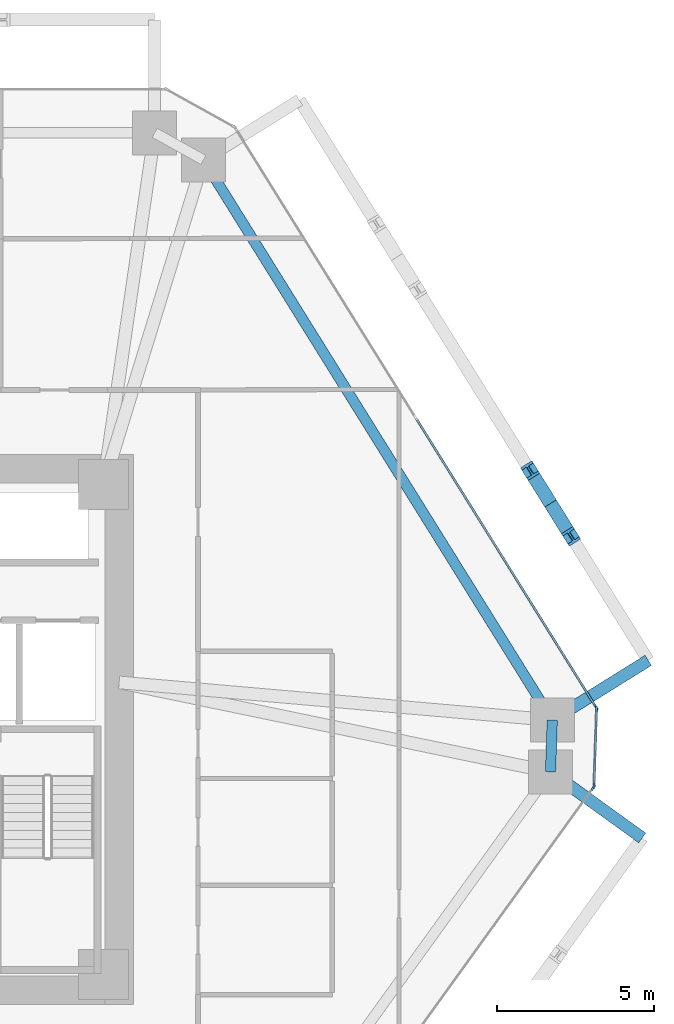
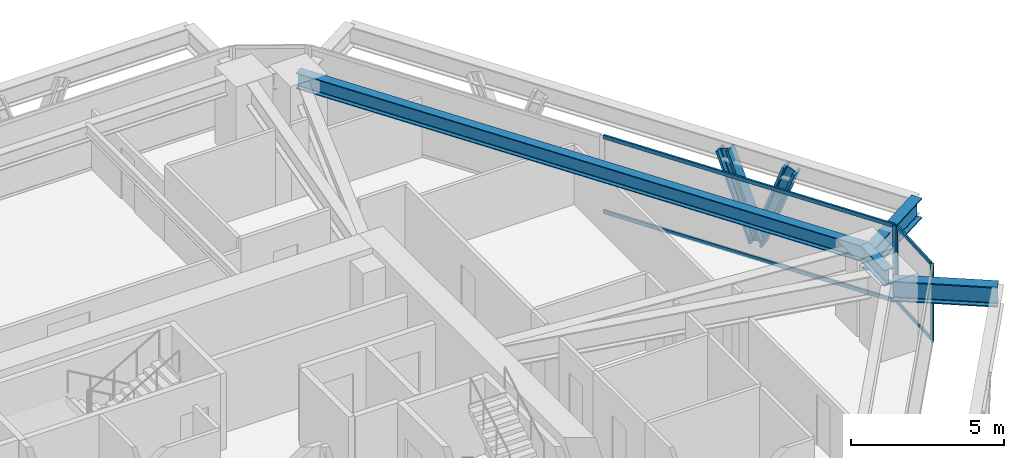
# One storey, part 6 of 15: 10 members, 4 beams, 3 elements without a shape of their own.
"""IFC4 building model written with IfcOpenShell, lengths in metres."""

from ifc_helpers import new_model, si_unit, direction, frame, origin, origin_2d, place, context, subcontext, project, spatial, rectangle, i_section, extrude, source, transform, mapped, material, layer, layer_set, material_profile, profile_set, type_object, type_shapes, element, aggregate, save


model = new_model("IFC4")

# Units and contexts
model_context = context("Model", 3, precision=1e-05, world=origin(), true_north=direction((0.0, 1.0)))
body_context = subcontext(model_context, "Body", "Model", "MODEL_VIEW")
ifc_project = project(units=[si_unit("LENGTHUNIT", "METRE"), si_unit("AREAUNIT", "SQUARE_METRE"), si_unit("VOLUMEUNIT", "CUBIC_METRE"), si_unit("PLANEANGLEUNIT", "RADIAN"), si_unit("MASSUNIT", "GRAM", prefix="KILO")], contexts=[model_context])

# Site, building, storey
site_placement = place(None, origin())
site = spatial("IfcSite", under=ifc_project, at=site_placement, CompositionType="ELEMENT")
building_placement = place(site_placement, origin())
building = spatial("IfcBuilding", under=site, at=building_placement, Name="Durnholm Broadcast Tower", CompositionType="ELEMENT")
storey_placement = place(building_placement, frame((0.0, 0.0, 62.10009765625)))
storey = spatial("IfcBuildingStorey", under=building, at=storey_placement, Name="L15", CompositionType="ELEMENT", Elevation=62.10009765625)

# Beams
ifc_material_1 = material(Name="Steel ASTM A992 Grade 50", Category="steel")
ifc_material_profile_1 = material_profile(ifc_material_1, i_section(OverallWidth=0.3291015625, OverallDepth=0.635009765625, WebThickness=0.017822265625, FlangeThickness=0.031005859375, FilletRadius=0.02783203125, at=origin_2d()), Name="W24X162")
ifc_profile_set_1 = profile_set([ifc_material_profile_1], Name="Steel ASTM A992 Grade 50")
beam_type_1 = type_object("IfcBeamType", Name="STL-SP-W24X162", PredefinedType="SPANDREL", material=ifc_profile_set_1)
shared_shape_1 = source(origin(), body_context, "Body", "SweptSolid", [
    extrude(i_section(OverallWidth=0.3291015625, OverallDepth=0.635009765625, WebThickness=0.017822265625, FlangeThickness=0.031005859375, FilletRadius=0.02783203125, at=origin_2d()), origin(), (0.0, 0.0, 1.0), 21.014404296875),
])
beam_1_placement = place(storey_placement, frame((12.982666015625, 18.138427734375, 2.727294921875), z_axis=(0.528595731543, -0.848873696491, 0.0), x_axis=(0.848873696491, 0.528595731543, 0.0)))
element("IfcBeam", 1, at=beam_1_placement, inside=storey, type_object=beam_type_1, Name="L15 perimeter spandrel girder 07", PredefinedType="SPANDREL", context=body_context, shape_type="MappedRepresentation", body=[
    mapped(shared_shape_1, transform((0.0, 0.0, 0.0), x_axis=(1.0, 0.0, 0.0), y_axis=(0.0, 1.0, 0.0), z_axis=(0.0, 0.0, 1.0), scale=1.0)),
])
shared_shape_2 = source(origin(), body_context, "Body", "SweptSolid", [
    extrude(i_section(OverallWidth=0.3291015625, OverallDepth=0.635009765625, WebThickness=0.017822265625, FlangeThickness=0.031005859375, FilletRadius=0.02783203125, at=origin_2d()), origin(), (0.0, 0.0, 1.0), 1.648193359375),
])
type_shapes(beam_type_1, [shared_shape_1, shared_shape_2])
beam_2_placement = place(storey_placement, frame((24.0908203125, 0.2998046875, 2.727294921875), z_axis=(-0.033921477804, -0.999424501072, 0.0), x_axis=(0.999424501072, -0.033921477804, 0.0)))
element("IfcBeam", 2, at=beam_2_placement, inside=storey, type_object=beam_type_1, Name="L15 perimeter spandrel girder 08", PredefinedType="SPANDREL", context=body_context, shape_type="MappedRepresentation", body=[
    mapped(shared_shape_2, transform((0.0, 0.0, 0.0), x_axis=(1.0, 0.0, 0.0), y_axis=(0.0, 1.0, 0.0), z_axis=(0.0, 0.0, 1.0), scale=1.0)),
])
ifc_material_profile_2 = material_profile(ifc_material_1, i_section(OverallWidth=0.385009765625, OverallDepth=0.802978515625, WebThickness=0.023681640625, FlangeThickness=0.0419921875, FilletRadius=0.032958984375, at=origin_2d()), Name="W30X261")
ifc_profile_set_2 = profile_set([ifc_material_profile_2], Name="Steel ASTM A992 Grade 50")
beam_type_2 = type_object("IfcBeamType", Name="BM-EXO-TIE", PredefinedType="USERDEFINED", material=ifc_profile_set_2)
shared_shape_3 = source(origin(), body_context, "Body", "SweptSolid", [
    extrude(i_section(OverallWidth=0.385009765625, OverallDepth=0.802978515625, WebThickness=0.023681640625, FlangeThickness=0.0419921875, FilletRadius=0.032958984375, at=origin_2d()), origin(), (0.0, 0.0, 1.0), 3.4560546875),
])
beam_3_placement = place(storey_placement, frame((24.212890625, 0.375732421875, 2.30859375), z_axis=(0.848874183218, 0.528594949906, 0.0), x_axis=(-0.528594949906, 0.848874183218, 0.0)))
element("IfcBeam", 3, at=beam_3_placement, inside=storey, type_object=beam_type_2, Name="L15 exoskeleton stand-off tie bracket F3.1", ObjectType="GIRDER", PredefinedType="USERDEFINED", context=body_context, shape_type="MappedRepresentation", body=[
    mapped(shared_shape_3, transform((0.0, 0.0, 0.0), x_axis=(1.0, 0.0, 0.0), y_axis=(0.0, 1.0, 0.0), z_axis=(0.0, 0.0, 1.0), scale=1.0)),
])
shared_shape_4 = source(origin(), body_context, "Body", "SweptSolid", [
    extrude(i_section(OverallWidth=0.385009765625, OverallDepth=0.802978515625, WebThickness=0.023681640625, FlangeThickness=0.0419921875, FilletRadius=0.032958984375, at=origin_2d()), origin(), (0.0, 0.0, 1.0), 3.455810546875),
])
type_shapes(beam_type_2, [shared_shape_3, shared_shape_4])
beam_4_placement = place(storey_placement, frame((24.15185546875, -1.431396484375, 2.30859375), z_axis=(0.811133512552, -0.584861030344, 0.0), x_axis=(0.584861030344, 0.811133512552, 0.0)))
element("IfcBeam", 4, at=beam_4_placement, inside=storey, type_object=beam_type_2, Name="L15 exoskeleton stand-off tie bracket F2.2", ObjectType="GIRDER", PredefinedType="USERDEFINED", context=body_context, shape_type="MappedRepresentation", body=[
    mapped(shared_shape_4, transform((0.0, 0.0, 0.0), x_axis=(1.0, 0.0, 0.0), y_axis=(0.0, 1.0, 0.0), z_axis=(0.0, 0.0, 1.0), scale=1.0)),
])

# Members
ifc_material_2 = material(Name="Steel ASTM A913 Grade 65", Category="steel")
ifc_material_profile_3 = material_profile(ifc_material_2, i_section(OverallWidth=0.43212890625, OverallDepth=0.497802734375, WebThickness=0.0556640625, FlangeThickness=0.0888671875, FilletRadius=0.030517578125, at=origin_2d()), Name="W14X500")
ifc_profile_set_3 = profile_set([ifc_material_profile_3], Name="Steel ASTM A913 Grade 65")
member_type_1 = type_object("IfcMemberType", Name="STL-DG-W14X500", PredefinedType="BRACE", material=ifc_profile_set_3)
shared_shape_5 = source(origin(), body_context, "Body", "SweptSolid", [
    extrude(i_section(OverallWidth=0.43212890625, OverallDepth=0.497802734375, WebThickness=0.0556640625, FlangeThickness=0.0888671875, FilletRadius=0.030517578125, at=origin_2d()), origin(), (0.0, 0.0, 1.0), 3.523193359375),
])
type_shapes(member_type_1, [shared_shape_5])
for number, where, z_axis, x_axis, name in (
    (5, (24.036376953125, 7.197509765625, -0.991455078125), (0.185157304084, -0.297277258428, 0.936665897941), (0.848819847179, 0.528682198523, 0.0), "L15 stand-off diagrid brace F3.D1.1"),
    (6, (24.036376953125, 7.197509765625, -0.991455078125), (-0.185090383068, 0.297281072018, 0.936677913861), (-0.848908635391, -0.528539618911, 0.0), "L15 stand-off diagrid brace F3.D1.2"),
):
    element("IfcMember", number, at=place(storey_placement, frame(where, z_axis=z_axis, x_axis=x_axis)), inside=storey, type_object=member_type_1, Name=name, PredefinedType="BRACE", context=body_context, shape_type="MappedRepresentation", body=[
        mapped(shared_shape_5, transform((0.0, 0.0, 0.0), x_axis=(1.0, 0.0, 0.0), y_axis=(0.0, 1.0, 0.0), z_axis=(0.0, 0.0, 1.0), scale=1.0)),
    ])

# Curtain wall, members
ifc_material_3 = material(Name="Aluminium and Solar Control IGU", Category="aluminium")
ifc_layer_1 = layer(ifc_material_3, 0.1650390625)
ifc_layer_set_1 = layer_set([ifc_layer_1], Name="Aluminium and Solar Control IGU")
curtain_wall_type_1 = type_object("IfcCurtainWallType", Name="CW-SYS-5", PredefinedType="NOTDEFINED", material=ifc_layer_set_1)
curtain_wall_1_placement = place(storey_placement, origin())
curtain_wall_1 = element("IfcCurtainWall", 7, at=curtain_wall_1_placement, inside=storey, type_object=curtain_wall_type_1, Name="L15 curtain wall CW-CORNER CW-L15-CRN-07", PredefinedType="NOTDEFINED")
ifc_material_4 = material(Name="Aluminium 6063-T6", Category="aluminium")
ifc_material_profile_4 = material_profile(ifc_material_4, rectangle(XDim=0.06494140625, YDim=0.1298828125, at=origin_2d()), Name="CWT65X130")
ifc_profile_set_4 = profile_set([ifc_material_profile_4], Name="Aluminium 6063-T6")
member_type_2 = type_object("IfcMemberType", Name="CW-SYS-5-TRN", PredefinedType="USERDEFINED", material=ifc_profile_set_4)
shared_shape_6 = source(origin(), body_context, "Body", "SweptSolid", [
    extrude(rectangle(XDim=0.06494140625, YDim=0.1298828125, at=origin_2d()), origin(), (0.0, 0.0, 1.0), 2.3701171875),
])
type_shapes(member_type_2, [shared_shape_6])
member_1_placement = place(storey_placement, frame((25.502197265625, 0.613037109375, 0.032470703125), z_axis=(-0.033788158898, -0.999429017148, 0.0), x_axis=(0.999429017148, -0.033788158898, 0.0)))
member_1 = element("IfcMember", 8, at=member_1_placement, type_object=member_type_2, Name="CW-CORNER transom 1.1", ObjectType="TRANSOM", PredefinedType="USERDEFINED", context=body_context, shape_type="MappedRepresentation", body=[
    mapped(shared_shape_6, transform((0.0, 0.0, 0.0), x_axis=(1.0, 0.0, 0.0), y_axis=(0.0, 1.0, 0.0), z_axis=(0.0, 0.0, 1.0), scale=1.0)),
])
member_2_placement = place(storey_placement, frame((25.502197265625, 0.613037109375, 3.02734375), z_axis=(-0.033788158898, -0.999429017148, 0.0), x_axis=(0.999429017148, -0.033788158898, 0.0)))
member_2 = element("IfcMember", 9, at=member_2_placement, type_object=member_type_2, Name="CW-CORNER transom 1.2", ObjectType="TRANSOM", PredefinedType="USERDEFINED", context=body_context, shape_type="MappedRepresentation", body=[
    mapped(shared_shape_6, transform((0.0, 0.0, 0.0), x_axis=(1.0, 0.0, 0.0), y_axis=(0.0, 1.0, 0.0), z_axis=(0.0, 0.0, 1.0), scale=1.0)),
])

ifc_layer_2 = layer(ifc_material_3, 0.18994140625)
ifc_layer_set_2 = layer_set([ifc_layer_2], Name="Aluminium and Solar Control IGU")
curtain_wall_type_2 = type_object("IfcCurtainWallType", Name="CW-SYS-3", PredefinedType="NOTDEFINED", material=ifc_layer_set_2)
curtain_wall_2_placement = place(storey_placement, origin())
curtain_wall_2 = element("IfcCurtainWall", 10, at=curtain_wall_2_placement, inside=storey, type_object=curtain_wall_type_2, Name="L15 curtain wall CW-Z12-VIS CW-L15-F06", PredefinedType="NOTDEFINED")
ifc_material_profile_5 = material_profile(ifc_material_4, rectangle(XDim=0.070068359375, YDim=0.14990234375, at=origin_2d()), Name="CWT70X150")
ifc_profile_set_5 = profile_set([ifc_material_profile_5], Name="Aluminium 6063-T6")
member_type_3 = type_object("IfcMemberType", Name="CW-SYS-3-TRN", PredefinedType="USERDEFINED", material=ifc_profile_set_5)
shared_shape_7 = source(origin(), body_context, "Body", "SweptSolid", [
    extrude(rectangle(XDim=0.070068359375, YDim=0.14990234375, at=origin_2d()), origin(), (0.0, 0.0, 1.0), 10.796630859375),
])
type_shapes(member_type_3, [shared_shape_7])
member_3_placement = place(storey_placement, frame((19.760498046875, 9.902587890625, 0.034912109375), z_axis=(0.528575362968, -0.848886379714, 0.0), x_axis=(0.848886379714, 0.528575362968, 0.0)))
member_3 = element("IfcMember", 11, at=member_3_placement, type_object=member_type_3, Name="CW-Z12-VIS transom 2.1", ObjectType="TRANSOM", PredefinedType="USERDEFINED", context=body_context, shape_type="MappedRepresentation", body=[
    mapped(shared_shape_7, transform((0.0, 0.0, 0.0), x_axis=(1.0, 0.0, 0.0), y_axis=(0.0, 1.0, 0.0), z_axis=(0.0, 0.0, 1.0), scale=1.0)),
])
member_4_placement = place(storey_placement, frame((19.760498046875, 9.902587890625, 3.02490234375), z_axis=(0.528575362968, -0.848886379714, 0.0), x_axis=(0.848886379714, 0.528575362968, 0.0)))
member_4 = element("IfcMember", 12, at=member_4_placement, type_object=member_type_3, Name="CW-Z12-VIS transom 2.2", ObjectType="TRANSOM", PredefinedType="USERDEFINED", context=body_context, shape_type="MappedRepresentation", body=[
    mapped(shared_shape_7, transform((0.0, 0.0, 0.0), x_axis=(1.0, 0.0, 0.0), y_axis=(0.0, 1.0, 0.0), z_axis=(0.0, 0.0, 1.0), scale=1.0)),
])

# Member
ifc_material_profile_6 = material_profile(ifc_material_4, rectangle(XDim=0.06494140625, YDim=0.1650390625, at=origin_2d()), Name="CWM65X165")
ifc_profile_set_6 = profile_set([ifc_material_profile_6], Name="Aluminium 6063-T6")
member_type_4 = type_object("IfcMemberType", Name="CW-SYS-5-MUL", PredefinedType="MULLION", material=ifc_profile_set_6)
shared_shape_8 = source(origin(), body_context, "Body", "SweptSolid", [
    extrude(rectangle(XDim=0.06494140625, YDim=0.1650390625, at=origin_2d()), origin(), (0.0, 0.0, 1.0), 3.059814453125),
])
type_shapes(member_type_4, [shared_shape_8])
member_5_placement = place(storey_placement, frame((25.50341796875, 0.6455078125, 0.0), z_axis=(0.0, 0.0, 1.0), x_axis=(0.999427277772, -0.033839569233, 0.0)))
member_5 = element("IfcMember", 13, at=member_5_placement, type_object=member_type_4, Name="CW-CORNER mullion 1", PredefinedType="MULLION", context=body_context, shape_type="MappedRepresentation", body=[
    mapped(shared_shape_8, transform((0.0, 0.0, 0.0), x_axis=(1.0, 0.0, 0.0), y_axis=(0.0, 1.0, 0.0), z_axis=(0.0, 0.0, 1.0), scale=1.0)),
])

member_6_placement = place(storey_placement, frame((25.4208984375, -1.7880859375, 0.0), z_axis=(0.0, 0.0, 1.0), x_axis=(0.999427277772, -0.033839569233, 0.0)))
member_6 = element("IfcMember", 14, at=member_6_placement, type_object=member_type_4, Name="CW-CORNER mullion 2", PredefinedType="MULLION", context=body_context, shape_type="MappedRepresentation", body=[
    mapped(shared_shape_8, transform((0.0, 0.0, 0.0), x_axis=(1.0, 0.0, 0.0), y_axis=(0.0, 1.0, 0.0), z_axis=(0.0, 0.0, 1.0), scale=1.0)),
])

aggregate(curtain_wall_1, [member_5, member_6, member_1, member_2])

ifc_material_profile_7 = material_profile(ifc_material_4, rectangle(XDim=0.070068359375, YDim=0.18994140625, at=origin_2d()), Name="CWM70X190")
ifc_profile_set_7 = profile_set([ifc_material_profile_7], Name="Aluminium 6063-T6")
member_type_5 = type_object("IfcMemberType", Name="CW-SYS-3-MUL", PredefinedType="MULLION", material=ifc_profile_set_7)
shared_shape_9 = source(origin(), body_context, "Body", "SweptSolid", [
    extrude(rectangle(XDim=0.070068359375, YDim=0.18994140625, at=origin_2d()), origin(), (0.0, 0.0, 1.0), 3.059814453125),
])
type_shapes(member_type_5, [shared_shape_9])
member_7_placement = place(storey_placement, frame((25.48583984375, 0.707763671875, 0.0), z_axis=(0.0, 0.0, 1.0), x_axis=(0.848875785503, 0.528592376777, 0.0)))
member_7 = element("IfcMember", 15, at=member_7_placement, type_object=member_type_5, Name="CW-Z12-VIS mullion 3", PredefinedType="MULLION", context=body_context, shape_type="MappedRepresentation", body=[
    mapped(shared_shape_9, transform((0.0, 0.0, 0.0), x_axis=(1.0, 0.0, 0.0), y_axis=(0.0, 1.0, 0.0), z_axis=(0.0, 0.0, 1.0), scale=1.0)),
])

aggregate(curtain_wall_2, [member_7, member_3, member_4])

# Curtain wall, member
curtain_wall_3_placement = place(storey_placement, origin())
curtain_wall_3 = element("IfcCurtainWall", 16, at=curtain_wall_3_placement, inside=storey, type_object=curtain_wall_type_2, Name="L15 curtain wall CW-Z12-VIS CW-L15-F08", PredefinedType="NOTDEFINED")
member_8_placement = place(storey_placement, frame((25.3994140625, -1.848876953125, 0.0), z_axis=(0.0, 0.0, 1.0), x_axis=(0.81116057493, -0.584823496176, 0.0)))
member_8 = element("IfcMember", 17, at=member_8_placement, type_object=member_type_5, Name="CW-Z12-VIS mullion 1", PredefinedType="MULLION", context=body_context, shape_type="MappedRepresentation", body=[
    mapped(shared_shape_9, transform((0.0, 0.0, 0.0), x_axis=(1.0, 0.0, 0.0), y_axis=(0.0, 1.0, 0.0), z_axis=(0.0, 0.0, 1.0), scale=1.0)),
])
aggregate(curtain_wall_3, [member_8])

save(model, "model.ifc")
